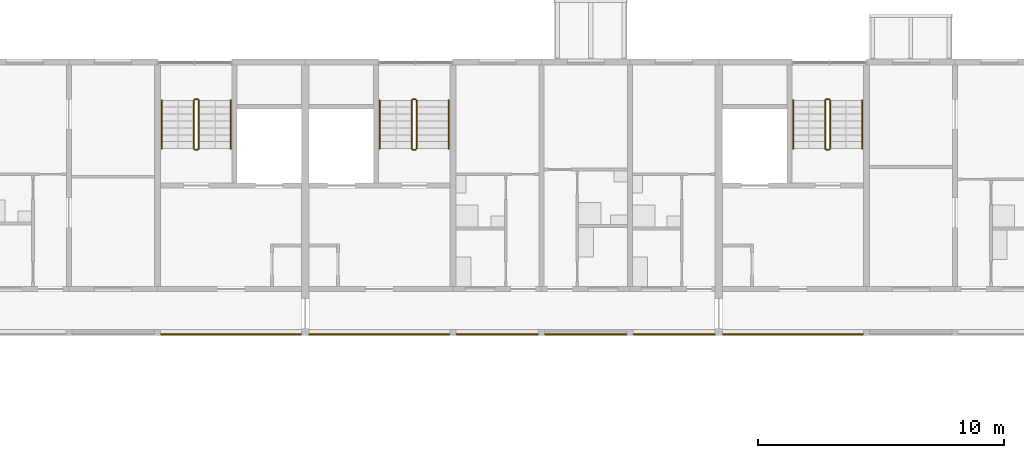
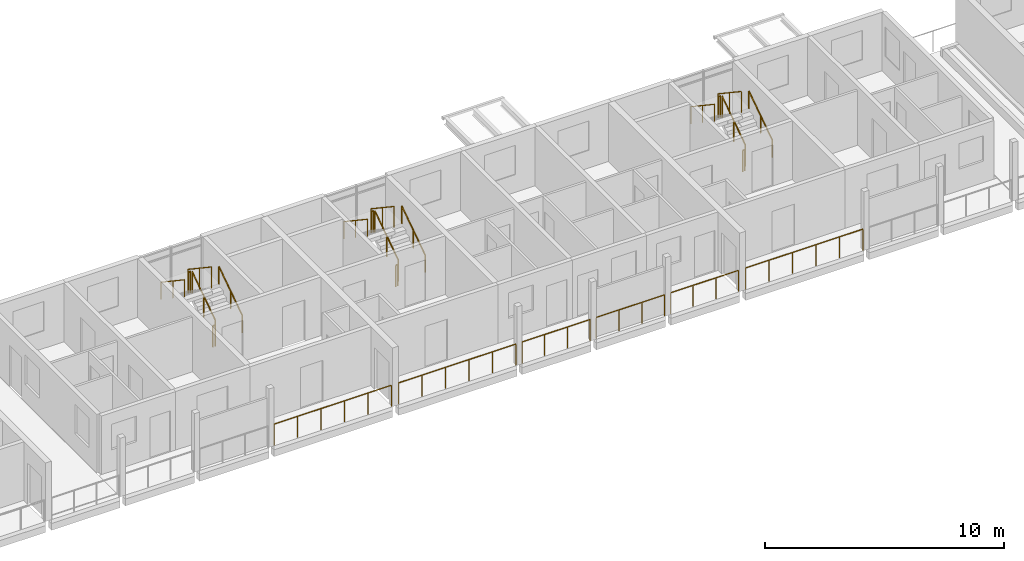
# One storey, part 86 of 94: 24 railings.
"""IFC4 building model written with IfcOpenShell, lengths in metres."""

from ifc_helpers import new_model, si_unit, direction, frame, origin, origin_2d, place, context, subcontext, project, spatial, circle, extrude, material, type_object, element, save


model = new_model("IFC4")

# Units and contexts
model_context = context("Model", 3, precision=1e-05, world=origin(), true_north=direction((0.0, 1.0)))
body_context = subcontext(model_context, "Body", "Model", "MODEL_VIEW")
ifc_project = project(units=[si_unit("LENGTHUNIT", "METRE"), si_unit("AREAUNIT", "SQUARE_METRE"), si_unit("VOLUMEUNIT", "CUBIC_METRE"), si_unit("PLANEANGLEUNIT", "RADIAN"), si_unit("MASSUNIT", "GRAM", prefix="KILO")], contexts=[model_context])

# Site, building, storey
site_placement = place(None, origin())
site = spatial("IfcSite", under=ifc_project, at=site_placement, CompositionType="ELEMENT")
building_placement = place(site_placement, origin())
building = spatial("IfcBuilding", under=site, at=building_placement, Name="Ridgestep Commons", CompositionType="ELEMENT")
storey_placement = place(building_placement, frame((0.0, 0.0, 21.0)))
storey = spatial("IfcBuildingStorey", under=building, at=storey_placement, Name="L07", CompositionType="ELEMENT", Elevation=21.0)

# Railings
ifc_material_1 = material(Name="Structural steel S355JR", Category="steel")
railing_type_1 = type_object("IfcRailingType", Name="Guard 1100", PredefinedType="GUARDRAIL", material=ifc_material_1)
railing_1_placement = place(storey_placement, frame((174.5458984375, 66.050048828125, 0.0)))
element("IfcRailing", 1, at=railing_1_placement, inside=storey, type_object=railing_type_1, Name="Gallery guard C 07.8", PredefinedType="GUARDRAIL", context=body_context, shape_type="SweptSolid", body=[
    extrude(circle(Radius=0.02392578125, at=origin_2d()), frame((0.0, 0.0, 1.076171875), z_axis=(1.0, 0.0, 0.0), x_axis=(0.0, 1.0, 0.0)), (0.0, 0.0, 1.0), 5.68310546875),
    extrude(circle(Radius=0.02099609375, at=origin_2d()), origin(), (0.0, 0.0, 1.0), 1.052001953125),
    extrude(circle(Radius=0.02099609375, at=origin_2d()), frame((1.13671875, 0.0, 0.0)), (0.0, 0.0, 1.0), 1.052001953125),
    extrude(circle(Radius=0.02099609375, at=origin_2d()), frame((2.273193359375, 0.0, 0.0)), (0.0, 0.0, 1.0), 1.052001953125),
    extrude(circle(Radius=0.02099609375, at=origin_2d()), frame((3.409912109375, 0.0, 0.0)), (0.0, 0.0, 1.0), 1.052001953125),
    extrude(circle(Radius=0.02099609375, at=origin_2d()), frame((4.54638671875, 0.0, 0.0)), (0.0, 0.0, 1.0), 1.052001953125),
    extrude(circle(Radius=0.02099609375, at=origin_2d()), frame((5.68310546875, 0.0, 0.0)), (0.0, 0.0, 1.0), 1.052001953125),
])
railing_2_placement = place(storey_placement, frame((180.571044921875, 66.050048828125, 0.0)))
element("IfcRailing", 2, at=railing_2_placement, inside=storey, type_object=railing_type_1, Name="Gallery guard C 07.9", PredefinedType="GUARDRAIL", context=body_context, shape_type="SweptSolid", body=[
    extrude(circle(Radius=0.02392578125, at=origin_2d()), frame((0.0, 0.0, 1.076171875), z_axis=(1.0, 0.0, 0.0), x_axis=(0.0, 1.0, 0.0)), (0.0, 0.0, 1.0), 5.682861328125),
    extrude(circle(Radius=0.02099609375, at=origin_2d()), origin(), (0.0, 0.0, 1.0), 1.052001953125),
    extrude(circle(Radius=0.02099609375, at=origin_2d()), frame((1.136474609375, 0.0, 0.0)), (0.0, 0.0, 1.0), 1.052001953125),
    extrude(circle(Radius=0.02099609375, at=origin_2d()), frame((2.273193359375, 0.0, 0.0)), (0.0, 0.0, 1.0), 1.052001953125),
    extrude(circle(Radius=0.02099609375, at=origin_2d()), frame((3.40966796875, 0.0, 0.0)), (0.0, 0.0, 1.0), 1.052001953125),
    extrude(circle(Radius=0.02099609375, at=origin_2d()), frame((4.54638671875, 0.0, 0.0)), (0.0, 0.0, 1.0), 1.052001953125),
    extrude(circle(Radius=0.02099609375, at=origin_2d()), frame((5.682861328125, 0.0, 0.0)), (0.0, 0.0, 1.0), 1.052001953125),
])
for number, where, name in (
    (3, (186.5458984375, 66.050048828125, 0.0), "Gallery guard C 07.10"),
    (4, (190.14599609375, 66.050048828125, 0.0), "Gallery guard C 07.11"),
):
    element("IfcRailing", number, at=place(storey_placement, frame(where)), inside=storey, type_object=railing_type_1, Name=name, PredefinedType="GUARDRAIL", context=body_context, shape_type="SweptSolid", body=[
        extrude(circle(Radius=0.02392578125, at=origin_2d()), frame((0.0, 0.0, 1.076171875), z_axis=(1.0, 0.0, 0.0), x_axis=(0.0, 1.0, 0.0)), (0.0, 0.0, 1.0), 3.30810546875),
        extrude(circle(Radius=0.02099609375, at=origin_2d()), origin(), (0.0, 0.0, 1.0), 1.052001953125),
        extrude(circle(Radius=0.02099609375, at=origin_2d()), frame((1.102783203125, 0.0, 0.0)), (0.0, 0.0, 1.0), 1.052001953125),
        extrude(circle(Radius=0.02099609375, at=origin_2d()), frame((2.205322265625, 0.0, 0.0)), (0.0, 0.0, 1.0), 1.052001953125),
        extrude(circle(Radius=0.02099609375, at=origin_2d()), frame((3.30810546875, 0.0, 0.0)), (0.0, 0.0, 1.0), 1.052001953125),
    ])
railing_3_placement = place(storey_placement, frame((193.74609375, 66.050048828125, 0.0)))
element("IfcRailing", 5, at=railing_3_placement, inside=storey, type_object=railing_type_1, Name="Gallery guard C 07.12", PredefinedType="GUARDRAIL", context=body_context, shape_type="SweptSolid", body=[
    extrude(circle(Radius=0.02392578125, at=origin_2d()), frame((0.0, 0.0, 1.076171875), z_axis=(1.0, 0.0, 0.0), x_axis=(0.0, 1.0, 0.0)), (0.0, 0.0, 1.0), 3.282958984375),
    extrude(circle(Radius=0.02099609375, at=origin_2d()), origin(), (0.0, 0.0, 1.0), 1.052001953125),
    extrude(circle(Radius=0.02099609375, at=origin_2d()), frame((1.09423828125, 0.0, 0.0)), (0.0, 0.0, 1.0), 1.052001953125),
    extrude(circle(Radius=0.02099609375, at=origin_2d()), frame((2.188720703125, 0.0, 0.0)), (0.0, 0.0, 1.0), 1.052001953125),
    extrude(circle(Radius=0.02099609375, at=origin_2d()), frame((3.282958984375, 0.0, 0.0)), (0.0, 0.0, 1.0), 1.052001953125),
])
railing_4_placement = place(storey_placement, frame((197.37109375, 66.050048828125, 0.0)))
element("IfcRailing", 6, at=railing_4_placement, inside=storey, type_object=railing_type_1, Name="Gallery guard C 07.13", PredefinedType="GUARDRAIL", context=body_context, shape_type="SweptSolid", body=[
    extrude(circle(Radius=0.02392578125, at=origin_2d()), frame((0.0, 0.0, 1.076171875), z_axis=(1.0, 0.0, 0.0), x_axis=(0.0, 1.0, 0.0)), (0.0, 0.0, 1.0), 5.682861328125),
    extrude(circle(Radius=0.02099609375, at=origin_2d()), origin(), (0.0, 0.0, 1.0), 1.052001953125),
    extrude(circle(Radius=0.02099609375, at=origin_2d()), frame((1.136474609375, 0.0, 0.0)), (0.0, 0.0, 1.0), 1.052001953125),
    extrude(circle(Radius=0.02099609375, at=origin_2d()), frame((2.273193359375, 0.0, 0.0)), (0.0, 0.0, 1.0), 1.052001953125),
    extrude(circle(Radius=0.02099609375, at=origin_2d()), frame((3.40966796875, 0.0, 0.0)), (0.0, 0.0, 1.0), 1.052001953125),
    extrude(circle(Radius=0.02099609375, at=origin_2d()), frame((4.54638671875, 0.0, 0.0)), (0.0, 0.0, 1.0), 1.052001953125),
    extrude(circle(Radius=0.02099609375, at=origin_2d()), frame((5.682861328125, 0.0, 0.0)), (0.0, 0.0, 1.0), 1.052001953125),
])
ifc_material_2 = material(Name="Structural steel S355JR", Category="steel")
railing_type_2 = type_object("IfcRailingType", Name="Stair guard 1100", PredefinedType="GUARDRAIL", material=ifc_material_2)
railing_5_placement = place(storey_placement, frame((176.074951171875, 73.60009765625, 0.1875)))
element("IfcRailing", 7, at=railing_5_placement, inside=storey, type_object=railing_type_2, Name="L07 C2C stair guard 1", PredefinedType="GUARDRAIL", context=body_context, shape_type="SweptSolid", body=[
    extrude(circle(Radius=0.02392578125, at=origin_2d()), frame((0.0, 0.0, 1.076171875), z_axis=(0.0, 0.830902050051, 0.556418712142), x_axis=(-1.0, 0.0, 0.0)), (0.0, 0.0, 1.0), 2.35888671875),
    extrude(circle(Radius=0.02099609375, at=origin_2d()), origin(), (0.0, 0.0, 1.0), 1.052001953125),
    extrude(circle(Radius=0.02099609375, at=origin_2d()), frame((0.0, 0.97998046875, 0.65625)), (0.0, 0.0, 1.0), 1.052001953125),
    extrude(circle(Radius=0.02099609375, at=origin_2d()), frame((0.0, 1.9599609375, 1.3125)), (0.0, 0.0, 1.0), 1.052001953125),
])
railing_6_placement = place(storey_placement, frame((176.02490234375, 75.610107421875, 1.5)))
element("IfcRailing", 8, at=railing_6_placement, inside=storey, type_object=railing_type_2, Name="L07 C2C stair guard 2", PredefinedType="GUARDRAIL", context=body_context, shape_type="SweptSolid", body=[
    extrude(circle(Radius=0.02392578125, at=origin_2d()), frame((0.0, 0.0, 1.076171875), z_axis=(-1.0, 0.0, 0.0), x_axis=(0.0, -1.0, 0.0)), (0.0, 0.0, 1.0), 0.099853515625),
    extrude(circle(Radius=0.02099609375, at=origin_2d()), origin(), (0.0, 0.0, 1.0), 1.052001953125),
    extrude(circle(Radius=0.02099609375, at=origin_2d()), frame((-0.099853515625, 0.0, 0.0)), (0.0, 0.0, 1.0), 1.052001953125),
])
railing_7_placement = place(storey_placement, frame((175.875, 75.56005859375, 1.6875)))
element("IfcRailing", 9, at=railing_7_placement, inside=storey, type_object=railing_type_2, Name="L07 C2C stair guard 3", PredefinedType="GUARDRAIL", context=body_context, shape_type="SweptSolid", body=[
    extrude(circle(Radius=0.02392578125, at=origin_2d()), frame((0.0, 0.0, 1.076171875), z_axis=(0.0, -0.830902050051, 0.556418712142), x_axis=(1.0, 0.0, 0.0)), (0.0, 0.0, 1.0), 2.35888671875),
    extrude(circle(Radius=0.02099609375, at=origin_2d()), origin(), (0.0, 0.0, 1.0), 1.052001953125),
    extrude(circle(Radius=0.02099609375, at=origin_2d()), frame((0.0, -0.97998046875, 0.65625)), (0.0, 0.0, 1.0), 1.052001953125),
    extrude(circle(Radius=0.02099609375, at=origin_2d()), frame((0.0, -1.9599609375, 1.3125)), (0.0, 0.0, 1.0), 1.052001953125),
])
railing_8_placement = place(storey_placement, frame((176.02490234375, 73.550048828125, 0.0)))
element("IfcRailing", 10, at=railing_8_placement, inside=storey, type_object=railing_type_2, Name="L07 C2C stair guard 4", PredefinedType="GUARDRAIL", context=body_context, shape_type="SweptSolid", body=[
    extrude(circle(Radius=0.02392578125, at=origin_2d()), frame((0.0, 0.0, 1.076171875), z_axis=(-1.0, 0.0, 0.0), x_axis=(0.0, -1.0, 0.0)), (0.0, 0.0, 1.0), 0.099853515625),
    extrude(circle(Radius=0.02099609375, at=origin_2d()), origin(), (0.0, 0.0, 1.0), 1.052001953125),
    extrude(circle(Radius=0.02099609375, at=origin_2d()), frame((-0.099853515625, 0.0, 0.0)), (0.0, 0.0, 1.0), 1.052001953125),
])
railing_9_placement = place(storey_placement, frame((184.925048828125, 73.60009765625, 0.1875)))
element("IfcRailing", 11, at=railing_9_placement, inside=storey, type_object=railing_type_2, Name="L07 C3C stair guard 1", PredefinedType="GUARDRAIL", context=body_context, shape_type="SweptSolid", body=[
    extrude(circle(Radius=0.02392578125, at=origin_2d()), frame((0.0, 0.0, 1.076171875), z_axis=(0.0, 0.830902050051, 0.556418712142), x_axis=(-1.0, 0.0, 0.0)), (0.0, 0.0, 1.0), 2.35888671875),
    extrude(circle(Radius=0.02099609375, at=origin_2d()), origin(), (0.0, 0.0, 1.0), 1.052001953125),
    extrude(circle(Radius=0.02099609375, at=origin_2d()), frame((0.0, 0.97998046875, 0.65625)), (0.0, 0.0, 1.0), 1.052001953125),
    extrude(circle(Radius=0.02099609375, at=origin_2d()), frame((0.0, 1.9599609375, 1.3125)), (0.0, 0.0, 1.0), 1.052001953125),
])
railing_10_placement = place(storey_placement, frame((184.875, 75.610107421875, 1.5)))
element("IfcRailing", 12, at=railing_10_placement, inside=storey, type_object=railing_type_2, Name="L07 C3C stair guard 2", PredefinedType="GUARDRAIL", context=body_context, shape_type="SweptSolid", body=[
    extrude(circle(Radius=0.02392578125, at=origin_2d()), frame((0.0, 0.0, 1.076171875), z_axis=(-1.0, 0.0, 0.0), x_axis=(0.0, -1.0, 0.0)), (0.0, 0.0, 1.0), 0.10009765625),
    extrude(circle(Radius=0.02099609375, at=origin_2d()), origin(), (0.0, 0.0, 1.0), 1.052001953125),
    extrude(circle(Radius=0.02099609375, at=origin_2d()), frame((-0.10009765625, 0.0, 0.0)), (0.0, 0.0, 1.0), 1.052001953125),
])
railing_11_placement = place(storey_placement, frame((184.72509765625, 75.56005859375, 1.6875)))
element("IfcRailing", 13, at=railing_11_placement, inside=storey, type_object=railing_type_2, Name="L07 C3C stair guard 3", PredefinedType="GUARDRAIL", context=body_context, shape_type="SweptSolid", body=[
    extrude(circle(Radius=0.02392578125, at=origin_2d()), frame((0.0, 0.0, 1.076171875), z_axis=(0.0, -0.830902050051, 0.556418712142), x_axis=(1.0, 0.0, 0.0)), (0.0, 0.0, 1.0), 2.35888671875),
    extrude(circle(Radius=0.02099609375, at=origin_2d()), origin(), (0.0, 0.0, 1.0), 1.052001953125),
    extrude(circle(Radius=0.02099609375, at=origin_2d()), frame((0.0, -0.97998046875, 0.65625)), (0.0, 0.0, 1.0), 1.052001953125),
    extrude(circle(Radius=0.02099609375, at=origin_2d()), frame((0.0, -1.9599609375, 1.3125)), (0.0, 0.0, 1.0), 1.052001953125),
])
railing_12_placement = place(storey_placement, frame((184.875, 73.550048828125, 0.0)))
element("IfcRailing", 14, at=railing_12_placement, inside=storey, type_object=railing_type_2, Name="L07 C3C stair guard 4", PredefinedType="GUARDRAIL", context=body_context, shape_type="SweptSolid", body=[
    extrude(circle(Radius=0.02392578125, at=origin_2d()), frame((0.0, 0.0, 1.076171875), z_axis=(-1.0, 0.0, 0.0), x_axis=(0.0, -1.0, 0.0)), (0.0, 0.0, 1.0), 0.10009765625),
    extrude(circle(Radius=0.02099609375, at=origin_2d()), origin(), (0.0, 0.0, 1.0), 1.052001953125),
    extrude(circle(Radius=0.02099609375, at=origin_2d()), frame((-0.10009765625, 0.0, 0.0)), (0.0, 0.0, 1.0), 1.052001953125),
])
railing_13_placement = place(storey_placement, frame((201.72509765625, 73.60009765625, 0.1875)))
element("IfcRailing", 15, at=railing_13_placement, inside=storey, type_object=railing_type_2, Name="L07 C4C stair guard 1", PredefinedType="GUARDRAIL", context=body_context, shape_type="SweptSolid", body=[
    extrude(circle(Radius=0.02392578125, at=origin_2d()), frame((0.0, 0.0, 1.076171875), z_axis=(0.0, 0.830902050051, 0.556418712142), x_axis=(-1.0, 0.0, 0.0)), (0.0, 0.0, 1.0), 2.35888671875),
    extrude(circle(Radius=0.02099609375, at=origin_2d()), origin(), (0.0, 0.0, 1.0), 1.052001953125),
    extrude(circle(Radius=0.02099609375, at=origin_2d()), frame((0.0, 0.97998046875, 0.65625)), (0.0, 0.0, 1.0), 1.052001953125),
    extrude(circle(Radius=0.02099609375, at=origin_2d()), frame((0.0, 1.9599609375, 1.3125)), (0.0, 0.0, 1.0), 1.052001953125),
])
railing_14_placement = place(storey_placement, frame((201.675048828125, 75.610107421875, 1.5)))
element("IfcRailing", 16, at=railing_14_placement, inside=storey, type_object=railing_type_2, Name="L07 C4C stair guard 2", PredefinedType="GUARDRAIL", context=body_context, shape_type="SweptSolid", body=[
    extrude(circle(Radius=0.02392578125, at=origin_2d()), frame((0.0, 0.0, 1.076171875), z_axis=(-1.0, 0.0, 0.0), x_axis=(0.0, -1.0, 0.0)), (0.0, 0.0, 1.0), 0.10009765625),
    extrude(circle(Radius=0.02099609375, at=origin_2d()), origin(), (0.0, 0.0, 1.0), 1.052001953125),
    extrude(circle(Radius=0.02099609375, at=origin_2d()), frame((-0.10009765625, 0.0, 0.0)), (0.0, 0.0, 1.0), 1.052001953125),
])
railing_15_placement = place(storey_placement, frame((201.52490234375, 75.56005859375, 1.6875)))
element("IfcRailing", 17, at=railing_15_placement, inside=storey, type_object=railing_type_2, Name="L07 C4C stair guard 3", PredefinedType="GUARDRAIL", context=body_context, shape_type="SweptSolid", body=[
    extrude(circle(Radius=0.02392578125, at=origin_2d()), frame((0.0, 0.0, 1.076171875), z_axis=(0.0, -0.830902050051, 0.556418712142), x_axis=(1.0, 0.0, 0.0)), (0.0, 0.0, 1.0), 2.35888671875),
    extrude(circle(Radius=0.02099609375, at=origin_2d()), origin(), (0.0, 0.0, 1.0), 1.052001953125),
    extrude(circle(Radius=0.02099609375, at=origin_2d()), frame((0.0, -0.97998046875, 0.65625)), (0.0, 0.0, 1.0), 1.052001953125),
    extrude(circle(Radius=0.02099609375, at=origin_2d()), frame((0.0, -1.9599609375, 1.3125)), (0.0, 0.0, 1.0), 1.052001953125),
])
railing_16_placement = place(storey_placement, frame((201.675048828125, 73.550048828125, 0.0)))
element("IfcRailing", 18, at=railing_16_placement, inside=storey, type_object=railing_type_2, Name="L07 C4C stair guard 4", PredefinedType="GUARDRAIL", context=body_context, shape_type="SweptSolid", body=[
    extrude(circle(Radius=0.02392578125, at=origin_2d()), frame((0.0, 0.0, 1.076171875), z_axis=(-1.0, 0.0, 0.0), x_axis=(0.0, -1.0, 0.0)), (0.0, 0.0, 1.0), 0.10009765625),
    extrude(circle(Radius=0.02099609375, at=origin_2d()), origin(), (0.0, 0.0, 1.0), 1.052001953125),
    extrude(circle(Radius=0.02099609375, at=origin_2d()), frame((-0.10009765625, 0.0, 0.0)), (0.0, 0.0, 1.0), 1.052001953125),
])
ifc_material_3 = material(Name="Structural steel S355JR", Category="steel")
railing_type_3 = type_object("IfcRailingType", Name="Stair handrail 900", PredefinedType="HANDRAIL", material=ifc_material_3)
railing_17_placement = place(storey_placement, frame((177.375, 73.60009765625, 0.1875)))
element("IfcRailing", 19, at=railing_17_placement, inside=storey, type_object=railing_type_3, Name="L07 C2C stair handrail 1", PredefinedType="HANDRAIL", context=body_context, shape_type="SweptSolid", body=[
    extrude(circle(Radius=0.02392578125, at=origin_2d()), frame((0.0, 0.0, 0.8759765625), z_axis=(0.0, 0.830902050051, 0.556418712142), x_axis=(-1.0, 0.0, 0.0)), (0.0, 0.0, 1.0), 2.35888671875),
    extrude(circle(Radius=0.02099609375, at=origin_2d()), origin(), (0.0, 0.0, 1.0), 0.851806640625),
    extrude(circle(Radius=0.02099609375, at=origin_2d()), frame((0.0, 0.97998046875, 0.65625)), (0.0, 0.0, 1.0), 0.851806640625),
    extrude(circle(Radius=0.02099609375, at=origin_2d()), frame((0.0, 1.9599609375, 1.3125)), (0.0, 0.0, 1.0), 0.851806640625),
])
railing_18_placement = place(storey_placement, frame((174.574951171875, 75.56005859375, 1.6875)))
element("IfcRailing", 20, at=railing_18_placement, inside=storey, type_object=railing_type_3, Name="L07 C2C stair handrail 2", PredefinedType="HANDRAIL", context=body_context, shape_type="SweptSolid", body=[
    extrude(circle(Radius=0.02392578125, at=origin_2d()), frame((0.0, 0.0, 0.8759765625), z_axis=(0.0, -0.830902050051, 0.556418712142), x_axis=(1.0, 0.0, 0.0)), (0.0, 0.0, 1.0), 2.35888671875),
    extrude(circle(Radius=0.02099609375, at=origin_2d()), origin(), (0.0, 0.0, 1.0), 0.851806640625),
    extrude(circle(Radius=0.02099609375, at=origin_2d()), frame((0.0, -0.97998046875, 0.65625)), (0.0, 0.0, 1.0), 0.851806640625),
    extrude(circle(Radius=0.02099609375, at=origin_2d()), frame((0.0, -1.9599609375, 1.3125)), (0.0, 0.0, 1.0), 0.851806640625),
])
railing_19_placement = place(storey_placement, frame((186.22509765625, 73.60009765625, 0.1875)))
element("IfcRailing", 21, at=railing_19_placement, inside=storey, type_object=railing_type_3, Name="L07 C3C stair handrail 1", PredefinedType="HANDRAIL", context=body_context, shape_type="SweptSolid", body=[
    extrude(circle(Radius=0.02392578125, at=origin_2d()), frame((0.0, 0.0, 0.8759765625), z_axis=(0.0, 0.830902050051, 0.556418712142), x_axis=(-1.0, 0.0, 0.0)), (0.0, 0.0, 1.0), 2.35888671875),
    extrude(circle(Radius=0.02099609375, at=origin_2d()), origin(), (0.0, 0.0, 1.0), 0.851806640625),
    extrude(circle(Radius=0.02099609375, at=origin_2d()), frame((0.0, 0.97998046875, 0.65625)), (0.0, 0.0, 1.0), 0.851806640625),
    extrude(circle(Radius=0.02099609375, at=origin_2d()), frame((0.0, 1.9599609375, 1.3125)), (0.0, 0.0, 1.0), 0.851806640625),
])
railing_20_placement = place(storey_placement, frame((183.425048828125, 75.56005859375, 1.6875)))
element("IfcRailing", 22, at=railing_20_placement, inside=storey, type_object=railing_type_3, Name="L07 C3C stair handrail 2", PredefinedType="HANDRAIL", context=body_context, shape_type="SweptSolid", body=[
    extrude(circle(Radius=0.02392578125, at=origin_2d()), frame((0.0, 0.0, 0.8759765625), z_axis=(0.0, -0.830902050051, 0.556418712142), x_axis=(1.0, 0.0, 0.0)), (0.0, 0.0, 1.0), 2.35888671875),
    extrude(circle(Radius=0.02099609375, at=origin_2d()), origin(), (0.0, 0.0, 1.0), 0.851806640625),
    extrude(circle(Radius=0.02099609375, at=origin_2d()), frame((0.0, -0.97998046875, 0.65625)), (0.0, 0.0, 1.0), 0.851806640625),
    extrude(circle(Radius=0.02099609375, at=origin_2d()), frame((0.0, -1.9599609375, 1.3125)), (0.0, 0.0, 1.0), 0.851806640625),
])
railing_21_placement = place(storey_placement, frame((203.02490234375, 73.60009765625, 0.1875)))
element("IfcRailing", 23, at=railing_21_placement, inside=storey, type_object=railing_type_3, Name="L07 C4C stair handrail 1", PredefinedType="HANDRAIL", context=body_context, shape_type="SweptSolid", body=[
    extrude(circle(Radius=0.02392578125, at=origin_2d()), frame((0.0, 0.0, 0.8759765625), z_axis=(0.0, 0.830902050051, 0.556418712142), x_axis=(-1.0, 0.0, 0.0)), (0.0, 0.0, 1.0), 2.35888671875),
    extrude(circle(Radius=0.02099609375, at=origin_2d()), origin(), (0.0, 0.0, 1.0), 0.851806640625),
    extrude(circle(Radius=0.02099609375, at=origin_2d()), frame((0.0, 0.97998046875, 0.65625)), (0.0, 0.0, 1.0), 0.851806640625),
    extrude(circle(Radius=0.02099609375, at=origin_2d()), frame((0.0, 1.9599609375, 1.3125)), (0.0, 0.0, 1.0), 0.851806640625),
])
railing_22_placement = place(storey_placement, frame((200.22509765625, 75.56005859375, 1.6875)))
element("IfcRailing", 24, at=railing_22_placement, inside=storey, type_object=railing_type_3, Name="L07 C4C stair handrail 2", PredefinedType="HANDRAIL", context=body_context, shape_type="SweptSolid", body=[
    extrude(circle(Radius=0.02392578125, at=origin_2d()), frame((0.0, 0.0, 0.8759765625), z_axis=(0.0, -0.830902050051, 0.556418712142), x_axis=(1.0, 0.0, 0.0)), (0.0, 0.0, 1.0), 2.35888671875),
    extrude(circle(Radius=0.02099609375, at=origin_2d()), origin(), (0.0, 0.0, 1.0), 0.851806640625),
    extrude(circle(Radius=0.02099609375, at=origin_2d()), frame((0.0, -0.97998046875, 0.65625)), (0.0, 0.0, 1.0), 0.851806640625),
    extrude(circle(Radius=0.02099609375, at=origin_2d()), frame((0.0, -1.9599609375, 1.3125)), (0.0, 0.0, 1.0), 0.851806640625),
])

save(model, "model.ifc")
